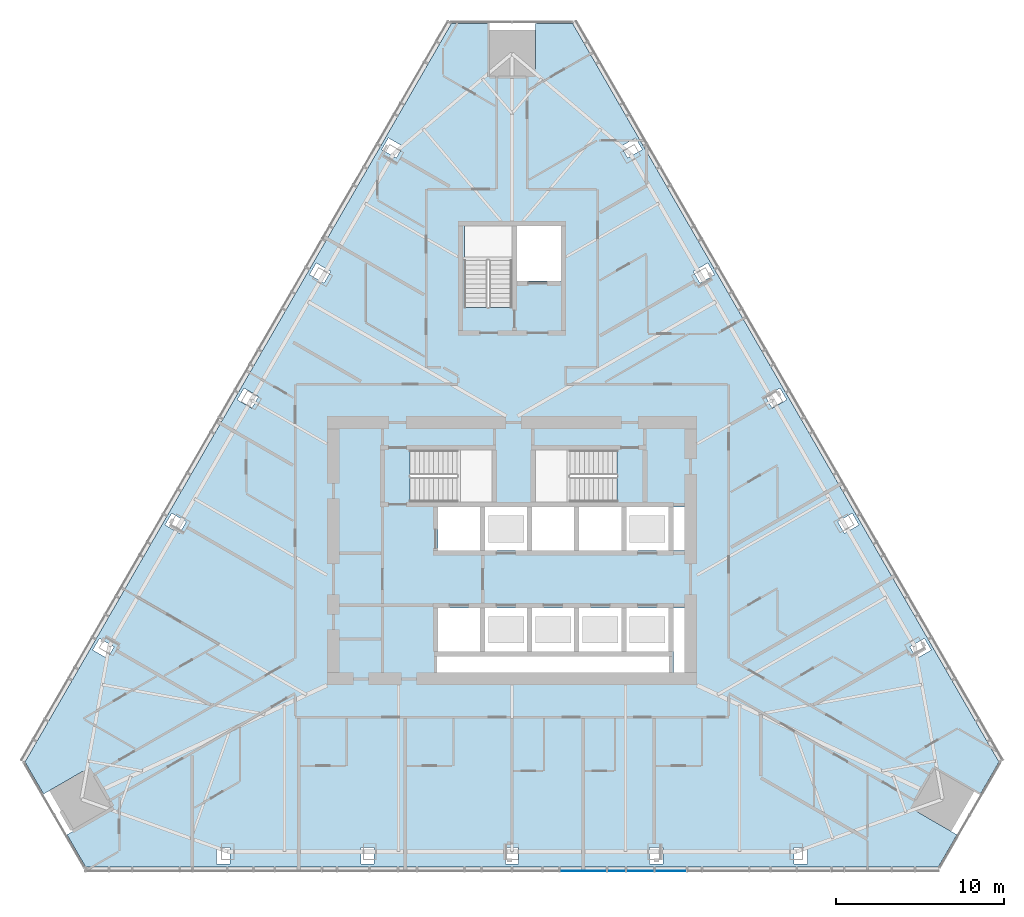
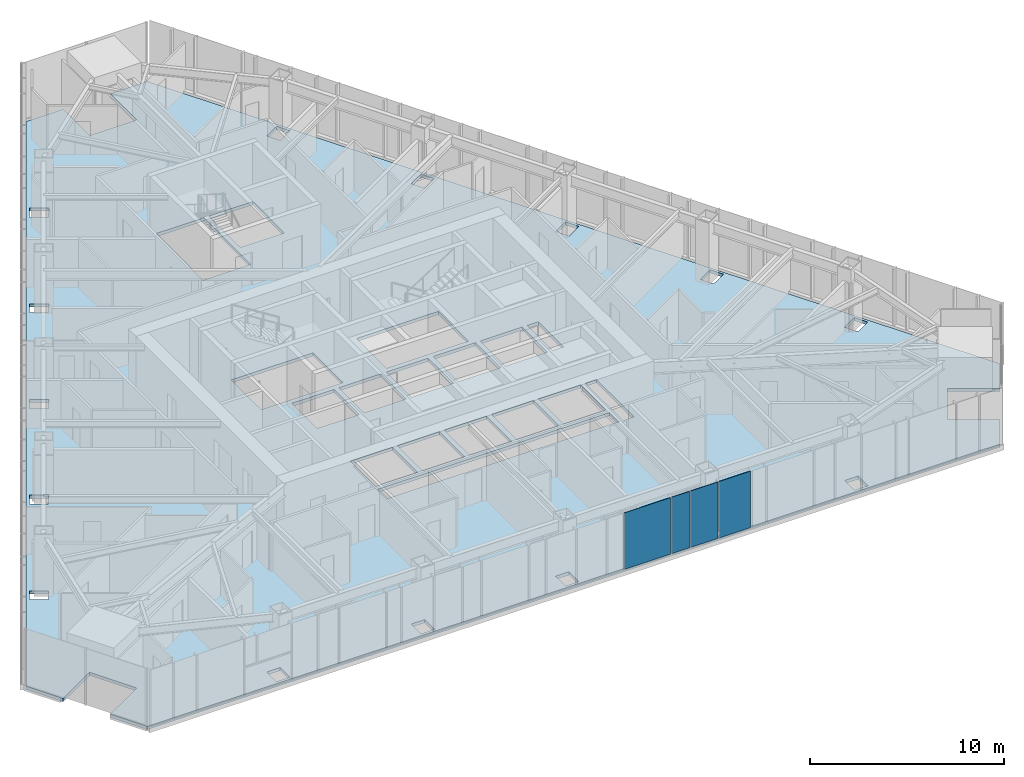
# One storey, part 9 of 19: 4 plates, 1 slab, 1 element without a shape of its own.
"""IFC4 building model written with IfcOpenShell, lengths in metres."""

from ifc_helpers import new_model, si_unit, direction, frame, origin, place, context, subcontext, project, spatial, polyline, outline, extrude, material, layer, layer_set, type_object, element, aggregate, save


model = new_model("IFC4")

# Units and contexts
model_context = context("Model", 3, precision=1e-05, world=origin(), true_north=direction((0.0, 1.0)))
body_context = subcontext(model_context, "Body", "Model", "MODEL_VIEW")
ifc_project = project(units=[si_unit("LENGTHUNIT", "METRE"), si_unit("AREAUNIT", "SQUARE_METRE"), si_unit("VOLUMEUNIT", "CUBIC_METRE"), si_unit("PLANEANGLEUNIT", "RADIAN"), si_unit("MASSUNIT", "GRAM", prefix="KILO")], contexts=[model_context])

# Site, building, storey
site_placement = place(None, origin())
site = spatial("IfcSite", under=ifc_project, at=site_placement, CompositionType="ELEMENT")
building_placement = place(site_placement, origin())
building = spatial("IfcBuilding", under=site, at=building_placement, Name="Firuza Gate Tower and Library", CompositionType="ELEMENT")
storey_placement = place(building_placement, frame((0.0, 0.0, 210.39990234375)))
storey = spatial("IfcBuildingStorey", under=building, at=storey_placement, Name="L49", CompositionType="ELEMENT", Elevation=210.39990234375)

# Slab
ifc_material_1 = material(Name="Concrete C40/50", Category="concrete")
ifc_layer_1 = layer(ifc_material_1, 0.199951171875)
ifc_layer_set_1 = layer_set([ifc_layer_1], Name="Composite floor slab 200 C40/50")
slab_type = type_object("IfcSlabType", Name="Composite floor slab 200 C40/50", PredefinedType="FLOOR", material=ifc_layer_set_1)
slab_placement = place(storey_placement, frame((0.0, 0.0, -0.199951171875)))
element("IfcSlab", 1, at=slab_placement, inside=storey, type_object=slab_type, Name="Floor slab L49", PredefinedType="FLOOR", context=body_context, shape_type="SweptSolid", body=[
    extrude(outline(polyline([(100.366943359375, 56.197509765625), (101.467041015625, 58.102783203125), (99.10986328125, 59.463623046875), (100.510009765625, 61.888427734375), (102.866943359375, 60.527587890625), (103.967041015625, 62.432861328125), (78.60009765625, 106.36962890625), (76.39990234375, 106.36962890625), (76.39990234375, 103.64794921875), (73.60009765625, 103.64794921875), (73.60009765625, 106.36962890625), (71.39990234375, 106.36962890625), (46.032958984375, 62.432861328125), (47.133056640625, 60.527587890625), (49.489990234375, 61.888427734375), (50.89013671875, 59.463623046875), (48.532958984375, 58.102783203125), (49.633056640625, 56.197509765625), (100.366943359375, 56.197509765625)]), holes=[polyline([(57.41259765625, 56.3583984375), (57.41259765625, 57.3583984375), (58.212646484375, 57.3583984375), (58.212646484375, 56.3583984375), (57.41259765625, 56.3583984375)]), polyline([(74.60009765625, 56.3583984375), (74.60009765625, 57.3583984375), (75.39990234375, 57.3583984375), (75.39990234375, 56.3583984375), (74.60009765625, 56.3583984375)]), polyline([(66.00634765625, 56.3583984375), (66.00634765625, 57.3583984375), (66.80615234375, 57.3583984375), (66.80615234375, 56.3583984375), (66.00634765625, 56.3583984375)]), polyline([(84.35009765625, 67.75), (70.550048828125, 67.75), (70.550048828125, 68.699951171875), (84.35009765625, 68.699951171875), (84.35009765625, 67.75)]), polyline([(50.462158203125, 69.782470703125), (51.328125, 69.282470703125), (50.927978515625, 68.589599609375), (50.06201171875, 69.089599609375), (50.462158203125, 69.782470703125)]), polyline([(73.10009765625, 69.0), (70.60009765625, 69.0), (70.60009765625, 71.60009765625), (73.10009765625, 71.60009765625), (73.10009765625, 69.0)]), polyline([(75.89990234375, 69.0), (73.39990234375, 69.0), (73.39990234375, 71.60009765625), (75.89990234375, 71.60009765625), (75.89990234375, 69.0)]), polyline([(73.10009765625, 75.0), (70.60009765625, 75.0), (70.60009765625, 77.60009765625), (73.10009765625, 77.60009765625), (73.10009765625, 75.0)]), polyline([(75.89990234375, 75.0), (73.39990234375, 75.0), (73.39990234375, 77.60009765625), (75.89990234375, 77.60009765625), (75.89990234375, 75.0)]), polyline([(54.759033203125, 77.224853515625), (55.625, 76.724853515625), (55.224853515625, 76.031982421875), (54.35888671875, 76.531982421875), (54.759033203125, 77.224853515625)]), polyline([(73.81005859375, 77.89990234375), (68.9404296875, 77.89990234375), (68.9404296875, 80.97998046875), (73.81005859375, 80.97998046875), (73.81005859375, 77.89990234375)]), polyline([(59.055908203125, 84.667236328125), (59.921875, 84.167236328125), (59.521728515625, 83.474365234375), (58.65576171875, 83.974365234375), (59.055908203125, 84.667236328125)]), polyline([(63.352783203125, 92.109619140625), (64.21875, 91.609619140625), (63.818603515625, 90.916748046875), (62.95263671875, 91.416748046875), (63.352783203125, 92.109619140625)]), polyline([(72.159912109375, 89.470458984375), (72.159912109375, 94.300048828125), (75.0, 94.300048828125), (75.0, 89.470458984375), (72.159912109375, 89.470458984375)]), polyline([(75.300048828125, 91.050048828125), (75.300048828125, 94.300048828125), (77.89990234375, 94.300048828125), (77.89990234375, 91.050048828125), (75.300048828125, 91.050048828125)]), polyline([(68.515625, 99.052001953125), (68.115478515625, 98.359130859375), (67.24951171875, 98.859130859375), (67.649658203125, 99.552001953125), (68.515625, 99.052001953125)]), polyline([(91.787353515625, 56.3583984375), (91.787353515625, 57.3583984375), (92.58740234375, 57.3583984375), (92.58740234375, 56.3583984375), (91.787353515625, 56.3583984375)]), polyline([(83.19384765625, 56.3583984375), (83.19384765625, 57.3583984375), (83.99365234375, 57.3583984375), (83.99365234375, 56.3583984375), (83.19384765625, 56.3583984375)]), polyline([(99.93798828125, 69.089599609375), (99.072021484375, 68.589599609375), (98.671875, 69.282470703125), (99.537841796875, 69.782470703125), (99.93798828125, 69.089599609375)]), polyline([(85.25, 67.75), (84.60009765625, 67.75), (84.60009765625, 71.60009765625), (85.25, 71.60009765625), (85.25, 67.75)]), polyline([(81.5, 69.0), (79.0, 69.0), (79.0, 71.60009765625), (81.5, 71.60009765625), (81.5, 69.0)]), polyline([(81.800048828125, 69.0), (81.800048828125, 71.60009765625), (84.300048828125, 71.60009765625), (84.300048828125, 69.0), (81.800048828125, 69.0)]), polyline([(76.199951171875, 69.0), (76.199951171875, 71.60009765625), (78.699951171875, 71.60009765625), (78.699951171875, 69.0), (76.199951171875, 69.0)]), polyline([(81.5, 75.0), (79.0, 75.0), (79.0, 77.60009765625), (81.5, 77.60009765625), (81.5, 75.0)]), polyline([(84.300048828125, 75.0), (81.800048828125, 75.0), (81.800048828125, 77.60009765625), (84.300048828125, 77.60009765625), (84.300048828125, 75.0)]), polyline([(85.25, 75.0), (84.60009765625, 75.0), (84.60009765625, 77.60009765625), (85.25, 77.60009765625), (85.25, 75.0)]), polyline([(78.699951171875, 75.0), (76.199951171875, 75.0), (76.199951171875, 77.60009765625), (78.699951171875, 77.60009765625), (78.699951171875, 75.0)]), polyline([(95.64111328125, 76.531982421875), (94.775146484375, 76.031982421875), (94.375, 76.724853515625), (95.240966796875, 77.224853515625), (95.64111328125, 76.531982421875)]), polyline([(81.259521484375, 77.89990234375), (76.389892578125, 77.89990234375), (76.389892578125, 80.97998046875), (81.259521484375, 80.97998046875), (81.259521484375, 77.89990234375)]), polyline([(91.34423828125, 83.974365234375), (90.478271484375, 83.474365234375), (90.078125, 84.167236328125), (90.944091796875, 84.667236328125), (91.34423828125, 83.974365234375)]), polyline([(86.181396484375, 90.916748046875), (85.78125, 91.609619140625), (86.647216796875, 92.109619140625), (87.04736328125, 91.416748046875), (86.181396484375, 90.916748046875)]), polyline([(81.884521484375, 98.359130859375), (81.484375, 99.052001953125), (82.350341796875, 99.552001953125), (82.75048828125, 98.859130859375), (81.884521484375, 98.359130859375)])]), origin(), (0.0, 0.0, 1.0), 0.199951171875),
])

# Curtain wall, plates
ifc_material_2 = material(Name="Aluminium 6063-T6", Category="aluminium")
ifc_layer_2 = layer(ifc_material_2, 0.14990234375)
ifc_layer_set_2 = layer_set([ifc_layer_2], Name="Unitised curtain wall, hotel")
curtain_wall_type = type_object("IfcCurtainWallType", Name="Unitised curtain wall, hotel", PredefinedType="NOTDEFINED", material=ifc_layer_set_2)
curtain_wall_placement = place(storey_placement, origin())
curtain_wall = element("IfcCurtainWall", 2, at=curtain_wall_placement, inside=storey, type_object=curtain_wall_type, Name="CW2 L49 S face", PredefinedType="NOTDEFINED")
ifc_material_3 = material(Name="Fritted glass", Category="glass")
ifc_layer_3 = layer(ifc_material_3, 0.030029296875)
ifc_layer_set_3 = layer_set([ifc_layer_3], Name="Fritted glass unit, hotel")
plate_type_1 = type_object("IfcPlateType", Name="Fritted glass unit, hotel", PredefinedType="CURTAIN_PANEL", material=ifc_layer_set_3)
plate_1_placement = place(storey_placement, frame((81.81982421875, 55.9375, 0.150146484375), z_axis=(0.0, -1.0, 0.0), x_axis=(1.0, 0.0, 0.0)))
plate_1 = element("IfcPlate", 3, at=plate_1_placement, type_object=plate_type_1, Name="Glass unit", PredefinedType="CURTAIN_PANEL", context=body_context, shape_type="SweptSolid", body=[
    extrude(outline(polyline([(0.0, 0.0), (1.6103515625, 0.0), (1.6103515625, 3.550048828125), (0.0, 3.550048828125), (0.0, 0.0)])), origin(), (0.0, 0.0, -1.0), 0.030029296875),
])
plate_2_placement = place(storey_placement, frame((83.510009765625, 55.9375, 0.150146484375), z_axis=(0.0, -1.0, 0.0), x_axis=(1.0, 0.0, 0.0)))
plate_2 = element("IfcPlate", 4, at=plate_2_placement, type_object=plate_type_1, Name="Glass unit", PredefinedType="CURTAIN_PANEL", context=body_context, shape_type="SweptSolid", body=[
    extrude(outline(polyline([(0.0, 0.0), (1.857666015625, 0.0), (1.857666015625, 3.550048828125), (0.0, 3.550048828125), (0.0, 0.0)])), origin(), (0.0, 0.0, -1.0), 0.030029296875),
])
ifc_material_4 = material(Name="Glazed ceramic tile")
ifc_layer_4 = layer(ifc_material_4, 0.030029296875)
ifc_layer_set_4 = layer_set([ifc_layer_4], Name="Opaque ceramic panel, hotel")
plate_type_2 = type_object("IfcPlateType", Name="Opaque ceramic panel, hotel", PredefinedType="CURTAIN_PANEL", material=ifc_layer_set_4)
plate_3_placement = place(storey_placement, frame((77.86328125, 55.9375, 0.150146484375), z_axis=(0.0, -1.0, 0.0), x_axis=(1.0, 0.0, 0.0)))
plate_3 = element("IfcPlate", 5, at=plate_3_placement, type_object=plate_type_2, Name="Opaque ceramic panel", PredefinedType="CURTAIN_PANEL", context=body_context, shape_type="SweptSolid", body=[
    extrude(outline(polyline([(0.0, 0.0), (2.743408203125, 0.0), (2.743408203125, 3.550048828125), (0.0, 3.550048828125), (0.0, 0.0)])), origin(), (0.0, 0.0, -1.0), 0.030029296875),
])
plate_4_placement = place(storey_placement, frame((80.686767578125, 55.9375, 0.150146484375), z_axis=(0.0, -1.0, 0.0), x_axis=(1.0, 0.0, 0.0)))
plate_4 = element("IfcPlate", 6, at=plate_4_placement, type_object=plate_type_2, Name="Opaque ceramic panel", PredefinedType="CURTAIN_PANEL", context=body_context, shape_type="SweptSolid", body=[
    extrude(outline(polyline([(0.0, 0.0), (1.052978515625, 0.0), (1.052978515625, 3.550048828125), (0.0, 3.550048828125), (0.0, 0.0)])), origin(), (0.0, 0.0, -1.0), 0.030029296875),
])
aggregate(curtain_wall, [plate_3, plate_4, plate_1, plate_2])

save(model, "model.ifc")
